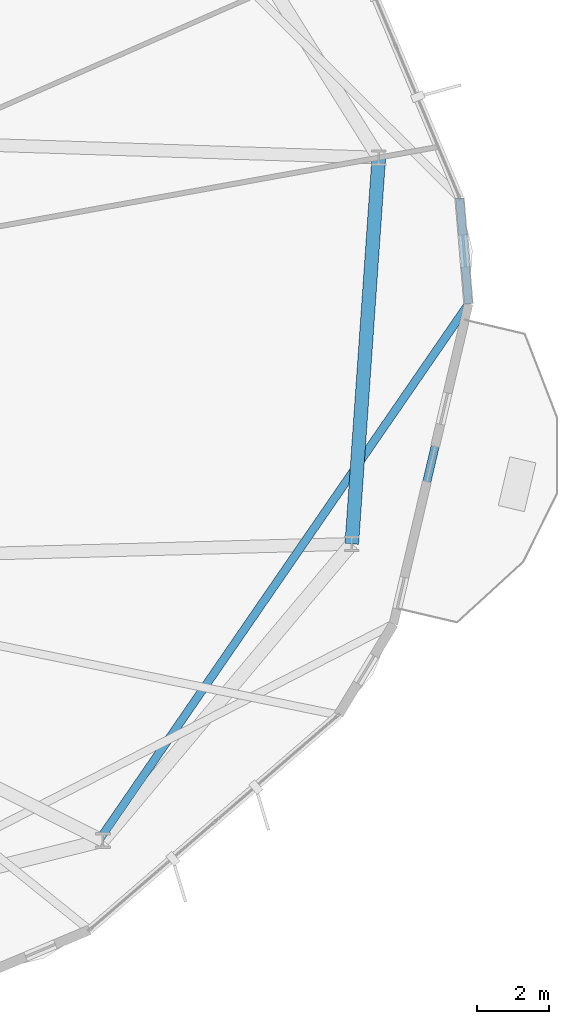
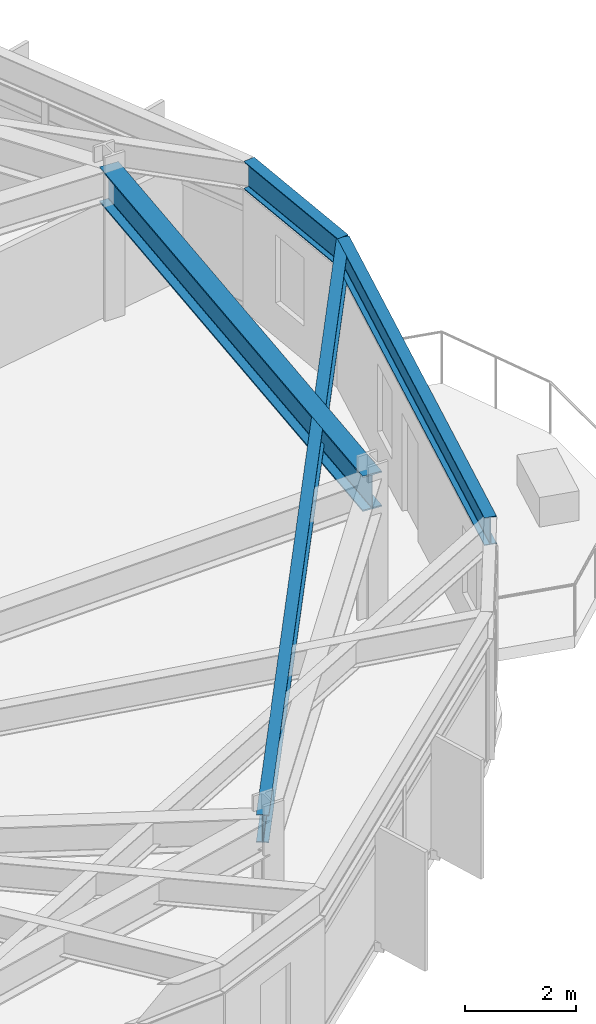
# One storey, part 11 of 27: 4 beams.
"""IFC4 building model written with IfcOpenShell, lengths in metres."""

import ifcopenshell
import ifcopenshell.guid

model = None  # the IFC model being written
_history = None  # IfcOwnerHistory: only IFC2X3 demands one
_inside = {}  # id of a spatial element -> (the spatial element, [elements in it])
_under = {}  # id of a project, library or spatial element -> (it, [spatial elements below it])
_declared = {}  # id of a project -> (the project, [libraries it declares])
_typed = {}  # id of a type object -> (the type object, [elements of that type])
_made_of = {}  # id of a material, layer set ... -> (it, [elements and type objects made of it])


def new_model(schema):
    """Start an empty IFC model of exactly this schema.

    Asked for "IFC4X3", IfcOpenShell would pick the latest addendum, in which some entities
    have other attributes; the version numbers below select the first issue.
    IFC2X3 requires an IfcOwnerHistory on every rooted entity: one is made here for all.
    """
    global model, _history
    if schema == "IFC4X3":
        model = ifcopenshell.file(schema_version=(4, 3, 0, 0))
    else:
        model = ifcopenshell.file(schema=schema)
    _inside.clear()
    _under.clear()
    _declared.clear()
    _typed.clear()
    _made_of.clear()
    _history = None
    if model.schema == "IFC2X3":
        org = make("IfcOrganization", Name="unknown")
        user = make(
            "IfcPersonAndOrganization",
            ThePerson=make("IfcPerson", FamilyName="unknown"),
            TheOrganization=org,
        )
        app = make(
            "IfcApplication",
            ApplicationDeveloper=org,
            Version="unknown",
            ApplicationFullName="unknown",
            ApplicationIdentifier="unknown",
        )
        _history = make(
            "IfcOwnerHistory",
            OwningUser=user,
            OwningApplication=app,
            ChangeAction="ADDED",
            CreationDate=0,
        )
    return model


def make(cls, **values):
    """One entity of the class cls with the attributes given. An attribute that is None is left unset."""
    return model.create_entity(
        cls, **{name: value for name, value in values.items() if value is not None}
    )


def rooted(cls, **values):
    """An entity with a GlobalId (a new one), such as an element, a storey or a relation."""
    return make(cls, GlobalId=ifcopenshell.guid.new(), OwnerHistory=_history, **values)


def si_unit(unit_type, name, prefix=None):
    """IfcSIUnit, for example si_unit("LENGTHUNIT", "METRE", prefix="MILLI")."""
    return make("IfcSIUnit", UnitType=unit_type, Prefix=prefix, Name=name)


def assignment(units):
    """IfcUnitAssignment: the units of a project."""
    return None if units is None else make("IfcUnitAssignment", Units=units)


def point(xyz):
    """IfcCartesianPoint."""
    return None if xyz is None else make("IfcCartesianPoint", Coordinates=xyz)


def direction(xyz):
    """IfcDirection."""
    return None if xyz is None else make("IfcDirection", DirectionRatios=xyz)


def frame(location, z_axis=None, x_axis=None):
    """IfcAxis2Placement3D, a coordinate frame: its origin and axes. An axis left out is left unset."""
    return make(
        "IfcAxis2Placement3D",
        Location=point(location),
        Axis=direction(z_axis),
        RefDirection=direction(x_axis),
    )


def frame_2d(location, x_axis=None):
    """IfcAxis2Placement2D, a coordinate frame in the plane: its origin and x axis."""
    return make(
        "IfcAxis2Placement2D", Location=point(location), RefDirection=direction(x_axis)
    )


def origin():
    """The frame at (0, 0, 0) with its axes left unset."""
    return frame((0.0, 0.0, 0.0))


def origin_2d():
    """The frame at (0, 0) in the plane with its x axis left unset."""
    return frame_2d((0.0, 0.0))


def place(relative_to, where):
    """IfcLocalPlacement: puts the frame where relative to a parent placement (None: the world)."""
    return make(
        "IfcLocalPlacement", PlacementRelTo=relative_to, RelativePlacement=where
    )


def context(
    kind, dimensions, precision=None, world=None, true_north=None, identifier=None
):
    """IfcGeometricRepresentationContext, for example the 3D "Model" context."""
    return make(
        "IfcGeometricRepresentationContext",
        ContextIdentifier=identifier,
        ContextType=kind,
        CoordinateSpaceDimension=dimensions,
        Precision=precision,
        WorldCoordinateSystem=world,
        TrueNorth=true_north,
    )


def subcontext(parent, identifier, kind, view, scale=None):
    """IfcGeometricRepresentationSubContext, for example "Body" below "Model"."""
    return make(
        "IfcGeometricRepresentationSubContext",
        ContextIdentifier=identifier,
        ContextType=kind,
        ParentContext=parent,
        TargetScale=scale,
        TargetView=view,
    )


def project(units=None, contexts=None):
    """IfcProject with its units and contexts."""
    return rooted(
        "IfcProject",
        Name="project",
        RepresentationContexts=contexts,
        UnitsInContext=assignment(units),
    )


def spatial(cls, under=None, at=None, **own):
    """A site, building, storey or space (cls), placed at a placement, below another one or the project."""
    s = rooted(cls, ObjectPlacement=at, **own)
    if under is not None:
        _under.setdefault(under.id(), (under, []))[1].append(s)
    return s


def profile(cls, at=None, kind="AREA", **sizes):
    """A parametric profile (cls). Its sizes go by their IFC names, for example OverallWidth=200.0."""
    return make(cls, ProfileType=kind, Position=at, **sizes)


def i_section(**sizes):
    """IfcIShapeProfileDef."""
    return profile("IfcIShapeProfileDef", **sizes)


def extrude(swept, where, along, depth):
    """IfcExtrudedAreaSolid: the profile swept, set in the frame where, extruded along a direction by depth."""
    return make(
        "IfcExtrudedAreaSolid",
        SweptArea=swept,
        Position=where,
        ExtrudedDirection=direction(along),
        Depth=depth,
    )


def shape(context_of_items, identifier, shape_type, items):
    """IfcShapeRepresentation: the items that make up one representation, for example the "Body"."""
    return make(
        "IfcShapeRepresentation",
        ContextOfItems=context_of_items,
        RepresentationIdentifier=identifier,
        RepresentationType=shape_type,
        Items=items,
    )


def material(Name=None, Category=None):
    """IfcMaterial."""
    return make("IfcMaterial", Name=Name, Category=Category)


def material_profile(
    of_material, cross_section, Name=None, Category=None, Priority=None
):
    """IfcMaterialProfile: a cross section and its material."""
    return make(
        "IfcMaterialProfile",
        Name=Name,
        Material=of_material,
        Profile=cross_section,
        Priority=Priority,
        Category=Category,
    )


def profile_set(profiles, Name=None, composite=None):
    """IfcMaterialProfileSet."""
    return make(
        "IfcMaterialProfileSet",
        Name=Name,
        MaterialProfiles=profiles,
        CompositeProfile=composite,
    )


def made_of(thing, what):
    """Note that an element or type object is made of a material, layer set ...; save() writes the relation."""
    if what is not None:
        _made_of.setdefault(what.id(), (what, []))[1].append(thing)
    return thing


def type_object(cls, material=None, **own):
    """A type object (cls), such as IfcWallType, which elements share."""
    return made_of(rooted(cls, **own), material)


def element(
    cls,
    number,
    at=None,
    inside=None,
    cuts=None,
    type_object=None,
    material=None,
    context=None,
    identifier="Body",
    shape_type=None,
    held_by="IfcProductDefinitionShape",
    body=None,
    shapes=None,
    **own,
):
    """One element of the class cls, such as IfcWall. Its Tag is "e" and its number.

    at: its placement. inside: the storey or other place that contains it. cuts: it is an
    opening in that element (IfcRelVoidsElement). A single representation is given by context,
    identifier, shape_type and body (its items); several are given by shapes. held_by: the class
    of the entity that holds the representations. save() writes the other relations.
    """
    e = rooted(cls, Tag="e%d" % number, ObjectPlacement=at, **own)
    if body is not None:
        shapes = [shape(context, identifier, shape_type, body)]
    if shapes is not None:
        e.Representation = make(held_by, Representations=shapes)
    if inside is not None:
        _inside.setdefault(inside.id(), (inside, []))[1].append(e)
    if cuts is not None:
        rooted(
            "IfcRelVoidsElement", RelatingBuildingElement=cuts, RelatedOpeningElement=e
        )
    if type_object is not None:
        _typed.setdefault(type_object.id(), (type_object, []))[1].append(e)
    return made_of(e, material)


def aggregate(whole, parts):
    """IfcRelAggregates: a whole, such as a stair, and the parts it consists of."""
    return rooted("IfcRelAggregates", RelatingObject=whole, RelatedObjects=parts)


def save(model, path):
    """Write the relations noted so far, then the file.

    IfcRelAggregates (storeys below a building ...), IfcRelContainedInSpatialStructure (elements
    in a storey), IfcRelDefinesByType, IfcRelAssociatesMaterial and IfcRelDeclares: one each for
    every whole, place, type object, material and project.
    """
    for whole, parts in _under.values():
        aggregate(whole, parts)
    for where, things in _inside.values():
        rooted(
            "IfcRelContainedInSpatialStructure",
            RelatedElements=things,
            RelatingStructure=where,
        )
    for kind, things in _typed.values():
        rooted("IfcRelDefinesByType", RelatedObjects=things, RelatingType=kind)
    for what, things in _made_of.values():
        rooted("IfcRelAssociatesMaterial", RelatedObjects=things, RelatingMaterial=what)
    for by, libraries in _declared.values():
        rooted("IfcRelDeclares", RelatingContext=by, RelatedDefinitions=libraries)
    model.write(path)


model = new_model("IFC4")

# Units and contexts
model_context = context("Model", 3, precision=1e-05, world=origin(), true_north=direction((0.0, 1.0)))
body_context = subcontext(model_context, "Body", "Model", "MODEL_VIEW")
ifc_project = project(units=[si_unit("LENGTHUNIT", "METRE"), si_unit("AREAUNIT", "SQUARE_METRE"), si_unit("VOLUMEUNIT", "CUBIC_METRE"), si_unit("PLANEANGLEUNIT", "RADIAN"), si_unit("MASSUNIT", "GRAM", prefix="KILO")], contexts=[model_context])

# Site, building, storey
site_placement = place(None, origin())
site = spatial("IfcSite", under=ifc_project, at=site_placement, CompositionType="ELEMENT")
building_placement = place(site_placement, origin())
building = spatial("IfcBuilding", under=site, at=building_placement, Name="Soratama Intermodal Tower", CompositionType="ELEMENT")
storey_placement = place(building_placement, frame((0.0, 0.0, 182.199951171875)))
storey = spatial("IfcBuildingStorey", under=building, at=storey_placement, Name="L45", CompositionType="ELEMENT", Elevation=182.199951171875)

# Beams
ifc_material_1 = material(Name="Structural steel ASTM A992 Grade 50", Category="steel")
ifc_material_profile_1 = material_profile(ifc_material_1, i_section(OverallWidth=0.382080078125, OverallDepth=0.779052734375, WebThickness=0.01806640625, FlangeThickness=0.030029296875, FilletRadius=0.01806640625, at=origin_2d()), Name="W30X191")
ifc_profile_set_1 = profile_set([ifc_material_profile_1], Name="Structural steel ASTM A992 Grade 50")
beam_type_1 = type_object("IfcBeamType", Name="BM-RING-W30X191", PredefinedType="BEAM", material=ifc_profile_set_1)
beam_1_placement = place(storey_placement, frame((61.22607421875, 18.444091796875, 2.87060546875), z_axis=(0.069702217409, 0.99756784275, 0.0), x_axis=(-0.99756784275, 0.069702217409, 0.0)))
element("IfcBeam", 1, at=beam_1_placement, inside=storey, type_object=beam_type_1, Name="BM-L45-RING-10", PredefinedType="BEAM", context=body_context, shape_type="SweptSolid", body=[
    extrude(i_section(OverallWidth=0.382080078125, OverallDepth=0.779052734375, WebThickness=0.01806640625, FlangeThickness=0.030029296875, FilletRadius=0.01806640625, at=origin_2d()), origin(), (0.0, 0.0, 1.0), 10.816162109375),
])
ifc_material_2 = material(Name="Structural steel ASTM A992 Grade 50", Category="steel")
ifc_material_profile_2 = material_profile(ifc_material_2, i_section(OverallWidth=0.22900390625, OverallDepth=0.612060546875, WebThickness=0.011962890625, FlangeThickness=0.01953125, FilletRadius=0.012939453125, at=origin_2d()), Name="W24X84")
ifc_profile_set_2 = profile_set([ifc_material_profile_2], Name="Structural steel ASTM A992 Grade 50")
beam_type_2 = type_object("IfcBeamType", Name="BM-SPN-W24X84", PredefinedType="SPANDREL", material=ifc_profile_set_2)
beam_2_placement = place(storey_placement, frame((62.389892578125, 16.202880859375, 2.9541015625), z_axis=(0.228360948078, 0.973576539052, 0.0), x_axis=(-0.973576539052, 0.228360948078, 0.0)))
element("IfcBeam", 2, at=beam_2_placement, inside=storey, type_object=beam_type_2, Name="BS-L45-F09", PredefinedType="SPANDREL", context=body_context, shape_type="SweptSolid", body=[
    extrude(i_section(OverallWidth=0.22900390625, OverallDepth=0.612060546875, WebThickness=0.011962890625, FlangeThickness=0.01953125, FilletRadius=0.012939453125, at=origin_2d()), origin(), (0.0, 0.0, 1.0), 9.187744140625),
])
beam_3_placement = place(storey_placement, frame((64.488037109375, 25.14794921875, 2.9541015625), z_axis=(-0.083617598528, 0.996497916313, 0.0), x_axis=(-0.996497916313, -0.083617598528, 0.0)))
element("IfcBeam", 3, at=beam_3_placement, inside=storey, type_object=beam_type_2, Name="BS-L45-CRN09", PredefinedType="SPANDREL", context=body_context, shape_type="SweptSolid", body=[
    extrude(i_section(OverallWidth=0.22900390625, OverallDepth=0.612060546875, WebThickness=0.011962890625, FlangeThickness=0.01953125, FilletRadius=0.012939453125, at=origin_2d()), origin(), (0.0, 0.0, 1.0), 2.966552734375),
])
ifc_material_3 = material(Name="Structural steel ASTM A992 Grade 50", Category="steel")
ifc_material_profile_3 = material_profile(ifc_material_3, i_section(OverallWidth=0.22900390625, OverallDepth=0.612060546875, WebThickness=0.011962890625, FlangeThickness=0.01953125, FilletRadius=0.012939453125, at=origin_2d()), Name="W24X84")
ifc_profile_set_3 = profile_set([ifc_material_profile_3], Name="Structural steel ASTM A992 Grade 50")
beam_type_3 = type_object("IfcBeamType", Name="BM-TIE-W24X84", PredefinedType="BEAM", material=ifc_profile_set_3)
beam_4_placement = place(storey_placement, frame((54.159912109375, 10.157958984375, 2.9541015625), z_axis=(0.56736809347, 0.823464295834, 0.0), x_axis=(-0.823464295834, 0.56736809347, 0.0)))
element("IfcBeam", 4, at=beam_4_placement, inside=storey, type_object=beam_type_3, Name="BM-L45-TIE1-09", PredefinedType="BEAM", context=body_context, shape_type="SweptSolid", body=[
    extrude(i_section(OverallWidth=0.22900390625, OverallDepth=0.612060546875, WebThickness=0.011962890625, FlangeThickness=0.01953125, FilletRadius=0.012939453125, at=origin_2d()), origin(), (0.0, 0.0, 1.0), 18.20361328125),
])

save(model, "model.ifc")
